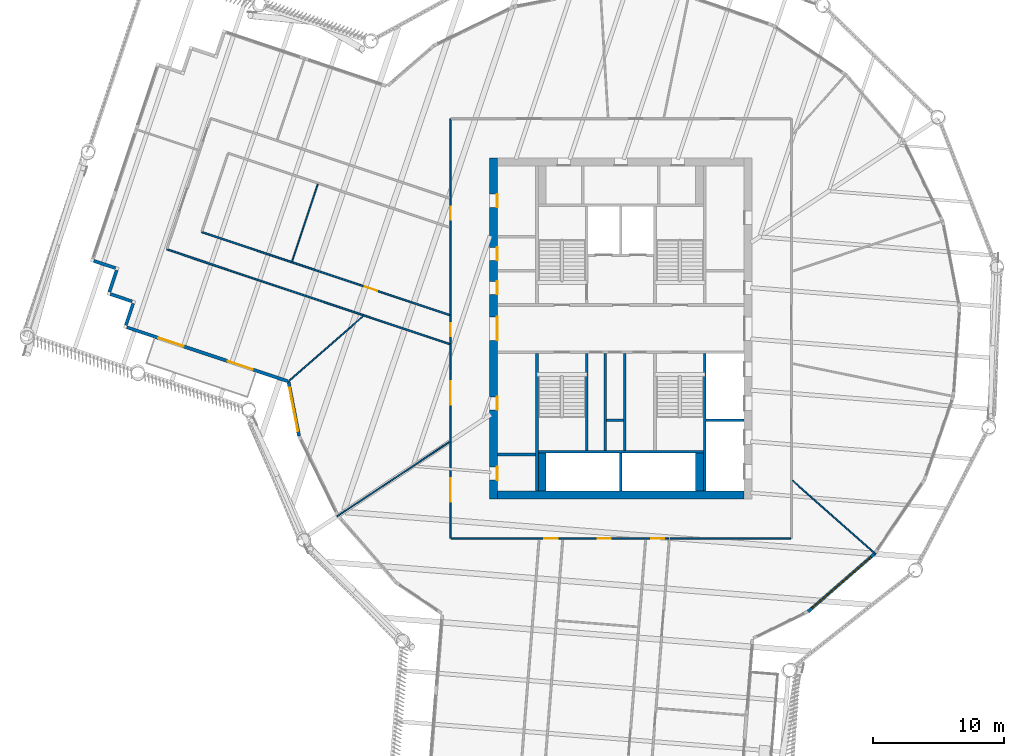
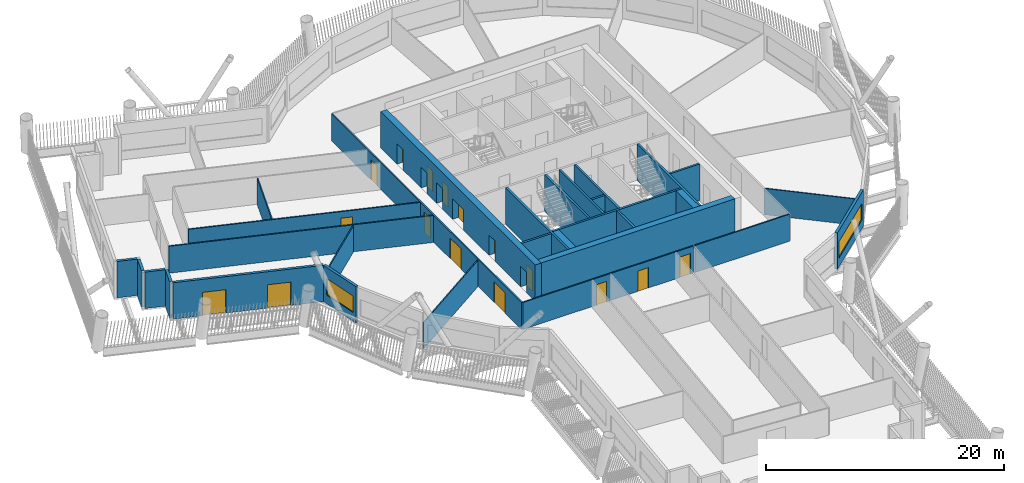
# One storey, part 4 of 21: 30 walls, 16 doors, 2 windows, 18 openings.
"""IFC4 building model written with IfcOpenShell, lengths in metres."""

from ifc_helpers import new_model, si_unit, direction, frame, frame_2d, origin, place, context, subcontext, project, spatial, rectangle, extrude, material, layer, layer_set, type_object, element, fill, save


model = new_model("IFC4")

# Units and contexts
model_context = context("Model", 3, precision=1e-05, world=origin(), true_north=direction((0.0, 1.0)))
body_context = subcontext(model_context, "Body", "Model", "MODEL_VIEW")
ifc_project = project(units=[si_unit("LENGTHUNIT", "METRE"), si_unit("AREAUNIT", "SQUARE_METRE"), si_unit("VOLUMEUNIT", "CUBIC_METRE"), si_unit("PLANEANGLEUNIT", "RADIAN"), si_unit("MASSUNIT", "GRAM", prefix="KILO")], contexts=[model_context])

# Site, building, storey
site_placement = place(None, origin())
site = spatial("IfcSite", under=ifc_project, at=site_placement, CompositionType="ELEMENT")
building_placement = place(site_placement, origin())
building = spatial("IfcBuilding", under=site, at=building_placement, Name="Tarsis Ring Headquarters", CompositionType="ELEMENT")
storey_placement = place(building_placement, frame((0.0, 0.0, 208.199951171875)))
storey = spatial("IfcBuildingStorey", under=building, at=storey_placement, Name="L48", CompositionType="ELEMENT", Elevation=208.199951171875)

# Walls
ifc_material_1 = material(Name="Blockwork", Category="masonry")
ifc_layer_1 = layer(ifc_material_1, 0.199951171875)
ifc_layer_set_1 = layer_set([ifc_layer_1], Name="Core blockwork wall 200")
wall_type_1 = type_object("IfcWallType", Name="Core blockwork wall 200", PredefinedType="PARTITIONING", material=ifc_layer_set_1)
wall_1_placement = place(storey_placement, frame((-9.39990234375, -9.60009765625, 0.0), z_axis=(0.0, 0.0, 1.0), x_axis=(1.0, 0.0, 0.0)))
element("IfcWall", 1, at=wall_1_placement, inside=storey, type_object=wall_type_1, Name="Core partition WD1", PredefinedType="PARTITIONING", context=body_context, shape_type="SweptSolid", body=[
    extrude(rectangle(XDim=2.89990234375, YDim=0.199951171875, at=frame_2d((1.449951171875, 0.0))), origin(), (0.0, 0.0, 1.0), 3.739990234375),
])
wall_2_placement = place(storey_placement, frame((-1.10009765625, -7.0, 0.0), z_axis=(0.0, 0.0, 1.0), x_axis=(1.0, 0.0, 0.0)))
element("IfcWall", 2, at=wall_2_placement, inside=storey, type_object=wall_type_1, Name="Core partition SP2", PredefinedType="PARTITIONING", context=body_context, shape_type="SweptSolid", body=[
    extrude(rectangle(XDim=1.300048828125, YDim=0.199951171875, at=frame_2d((0.64990234375, 0.0))), origin(), (0.0, 0.0, 1.0), 3.739990234375),
])
for number, where, z_axis, x_axis, name in (
    (3, (-1.199951171875, -9.300048828125, 0.0), (0.0, 0.0, 1.0), (0.0, 1.0, 0.0), "Core partition SV1"),
    (4, (0.300048828125, -9.300048828125, 0.0), (0.0, 0.0, 1.0), (0.0, 1.0, 0.0), "Core partition SV2"),
):
    element("IfcWall", number, at=place(storey_placement, frame(where, z_axis=z_axis, x_axis=x_axis)), inside=storey, type_object=wall_type_1, Name=name, PredefinedType="PARTITIONING", context=body_context, shape_type="SweptSolid", body=[
        extrude(rectangle(XDim=7.400146484375, YDim=0.199951171875, at=frame_2d((3.7001953125, 0.0))), origin(), (0.0, 0.0, 1.0), 3.739990234375),
    ])

# Wall, openings, doors
ifc_material_2 = material(Name="Concrete C50/60", Category="concrete")
ifc_layer_2 = layer(ifc_material_2, 0.60009765625)
ifc_layer_set_2 = layer_set([ifc_layer_2], Name="Core wall 600 C50/60")
wall_type_2 = type_object("IfcWallType", Name="Core wall 600 C50/60", PredefinedType="SHEAR", material=ifc_layer_set_2)
wall_3_placement = place(storey_placement, frame((-9.699951171875, -13.0, 0.0), z_axis=(0.0, 0.0, 1.0), x_axis=(0.0, 1.0, 0.0)))
wall_3 = element("IfcWall", 5, at=wall_3_placement, inside=storey, type_object=wall_type_2, Name="Core wall OW", PredefinedType="SHEAR", context=body_context, shape_type="SweptSolid", body=[
    extrude(rectangle(XDim=26.0, YDim=0.60009765625, at=frame_2d((13.0, 0.0))), origin(), (0.0, 0.0, 1.0), 3.739990234375),
])
opening_1_placement = place(wall_3_placement, frame((1.449951171875, 0.0, 0.0)))
opening_1 = element("IfcOpeningElement", 6, at=opening_1_placement, cuts=wall_3, Name="Opening L48-C01", PredefinedType="OPENING", context=body_context, shape_type="SweptSolid", body=[
    extrude(rectangle(XDim=1.0, YDim=2.10009765625, at=frame_2d((0.5, 1.050048828125))), frame((0.0, 0.31005859375, 0.0), z_axis=(0.0, -1.0, 0.0), x_axis=(1.0, 0.0, 0.0)), (0.0, 0.0, 1.0), 0.6201171875),
])
opening_2_placement = place(wall_3_placement, frame((6.800048828125, 0.0, 0.0)))
opening_2 = element("IfcOpeningElement", 7, at=opening_2_placement, cuts=wall_3, Name="Opening L48-C02", PredefinedType="OPENING", context=body_context, shape_type="SweptSolid", body=[
    extrude(rectangle(XDim=1.0, YDim=2.10009765625, at=frame_2d((0.5, 1.050048828125))), frame((0.0, 0.31005859375, 0.0), z_axis=(0.0, -1.0, 0.0), x_axis=(1.0, 0.0, 0.0)), (0.0, 0.0, 1.0), 0.6201171875),
])
opening_3_placement = place(wall_3_placement, frame((12.10009765625, 0.0, 0.0)))
opening_3 = element("IfcOpeningElement", 8, at=opening_3_placement, cuts=wall_3, Name="Opening L48-C03", PredefinedType="OPENING", context=body_context, shape_type="SweptSolid", body=[
    extrude(rectangle(XDim=1.800048828125, YDim=2.10009765625, at=frame_2d((0.89990234375, 1.050048828125))), frame((0.0, 0.31005859375, 0.0), z_axis=(0.0, -1.0, 0.0), x_axis=(1.0, 0.0, 0.0)), (0.0, 0.0, 1.0), 0.6201171875),
])
opening_4_placement = place(wall_3_placement, frame((15.60009765625, 0.0, 0.0)))
opening_4 = element("IfcOpeningElement", 9, at=opening_4_placement, cuts=wall_3, Name="Opening L48-C04", PredefinedType="OPENING", context=body_context, shape_type="SweptSolid", body=[
    extrude(rectangle(XDim=1.0, YDim=2.10009765625, at=frame_2d((0.5, 1.050048828125))), frame((0.0, 0.31005859375, 0.0), z_axis=(0.0, -1.0, 0.0), x_axis=(1.0, 0.0, 0.0)), (0.0, 0.0, 1.0), 0.6201171875),
])
opening_5_placement = place(wall_3_placement, frame((18.199951171875, 0.0, 0.0)))
opening_5 = element("IfcOpeningElement", 10, at=opening_5_placement, cuts=wall_3, Name="Opening L48-C05", PredefinedType="OPENING", context=body_context, shape_type="SweptSolid", body=[
    extrude(rectangle(XDim=1.0, YDim=2.10009765625, at=frame_2d((0.5, 1.050048828125))), frame((0.0, 0.31005859375, 0.0), z_axis=(0.0, -1.0, 0.0), x_axis=(1.0, 0.0, 0.0)), (0.0, 0.0, 1.0), 0.6201171875),
])
opening_6_placement = place(wall_3_placement, frame((22.25, 0.0, 0.0)))
opening_6 = element("IfcOpeningElement", 11, at=opening_6_placement, cuts=wall_3, Name="Opening L48-C06", PredefinedType="OPENING", context=body_context, shape_type="SweptSolid", body=[
    extrude(rectangle(XDim=1.0, YDim=2.10009765625, at=frame_2d((0.5, 1.050048828125))), frame((0.0, 0.31005859375, 0.0), z_axis=(0.0, -1.0, 0.0), x_axis=(1.0, 0.0, 0.0)), (0.0, 0.0, 1.0), 0.6201171875),
])
ifc_material_3 = material(Name="Steel S355", Category="steel")
door_type_1 = type_object("IfcDoorType", Name="Core entry door 1800x2100", OperationType="DOUBLE_DOOR_SINGLE_SWING", PredefinedType="DOOR", material=ifc_material_3)
door_1_placement = place(opening_3_placement, origin())
door_1 = element("IfcDoor", 12, at=door_1_placement, inside=storey, type_object=door_type_1, Name="Core entry door L48", OperationType="DOUBLE_DOOR_SINGLE_SWING", OverallHeight=2.10009765625, OverallWidth=1.800048828125, PredefinedType="DOOR", context=body_context, shape_type="SweptSolid", body=[
    extrude(rectangle(XDim=1.800048828125, YDim=2.10009765625, at=frame_2d((0.89990234375, 1.050048828125))), frame((0.0, -0.25, 0.0), z_axis=(0.0, -1.0, 0.0), x_axis=(1.0, 0.0, 0.0)), (0.0, 0.0, 1.0), 0.050048828125),
])
fill(opening_3, door_1)
door_type_2 = type_object("IfcDoorType", Name="Core room door 1000x2100", OperationType="SINGLE_SWING_LEFT", PredefinedType="DOOR", material=ifc_material_3)
door_2_placement = place(opening_1_placement, origin())
door_2 = element("IfcDoor", 13, at=door_2_placement, inside=storey, type_object=door_type_2, Name="Core room door L48", OperationType="SINGLE_SWING_LEFT", OverallHeight=2.10009765625, OverallWidth=1.0, PredefinedType="DOOR", context=body_context, shape_type="SweptSolid", body=[
    extrude(rectangle(XDim=1.0, YDim=2.10009765625, at=frame_2d((0.5, 1.050048828125))), frame((0.0, -0.25, 0.0), z_axis=(0.0, -1.0, 0.0), x_axis=(1.0, 0.0, 0.0)), (0.0, 0.0, 1.0), 0.050048828125),
])
fill(opening_1, door_2)
door_3_placement = place(opening_2_placement, origin())
door_3 = element("IfcDoor", 14, at=door_3_placement, inside=storey, type_object=door_type_2, Name="Core room door L48", OperationType="SINGLE_SWING_LEFT", OverallHeight=2.10009765625, OverallWidth=1.0, PredefinedType="DOOR", context=body_context, shape_type="SweptSolid", body=[
    extrude(rectangle(XDim=1.0, YDim=2.10009765625, at=frame_2d((0.5, 1.050048828125))), frame((0.0, -0.25, 0.0), z_axis=(0.0, -1.0, 0.0), x_axis=(1.0, 0.0, 0.0)), (0.0, 0.0, 1.0), 0.050048828125),
])
fill(opening_2, door_3)
door_4_placement = place(opening_4_placement, origin())
door_4 = element("IfcDoor", 15, at=door_4_placement, inside=storey, type_object=door_type_2, Name="Core room door L48", OperationType="SINGLE_SWING_LEFT", OverallHeight=2.10009765625, OverallWidth=1.0, PredefinedType="DOOR", context=body_context, shape_type="SweptSolid", body=[
    extrude(rectangle(XDim=1.0, YDim=2.10009765625, at=frame_2d((0.5, 1.050048828125))), frame((0.0, -0.25, 0.0), z_axis=(0.0, -1.0, 0.0), x_axis=(1.0, 0.0, 0.0)), (0.0, 0.0, 1.0), 0.050048828125),
])
fill(opening_4, door_4)
door_5_placement = place(opening_5_placement, origin())
door_5 = element("IfcDoor", 16, at=door_5_placement, inside=storey, type_object=door_type_2, Name="Core room door L48", OperationType="SINGLE_SWING_LEFT", OverallHeight=2.10009765625, OverallWidth=1.0, PredefinedType="DOOR", context=body_context, shape_type="SweptSolid", body=[
    extrude(rectangle(XDim=1.0, YDim=2.10009765625, at=frame_2d((0.5, 1.050048828125))), frame((0.0, -0.25, 0.0), z_axis=(0.0, -1.0, 0.0), x_axis=(1.0, 0.0, 0.0)), (0.0, 0.0, 1.0), 0.050048828125),
])
fill(opening_5, door_5)
door_6_placement = place(opening_6_placement, origin())
door_6 = element("IfcDoor", 17, at=door_6_placement, inside=storey, type_object=door_type_2, Name="Core room door L48", OperationType="SINGLE_SWING_LEFT", OverallHeight=2.10009765625, OverallWidth=1.0, PredefinedType="DOOR", context=body_context, shape_type="SweptSolid", body=[
    extrude(rectangle(XDim=1.0, YDim=2.10009765625, at=frame_2d((0.5, 1.050048828125))), frame((0.0, -0.25, 0.0), z_axis=(0.0, -1.0, 0.0), x_axis=(1.0, 0.0, 0.0)), (0.0, 0.0, 1.0), 0.050048828125),
])
fill(opening_6, door_6)

# Walls
wall_4_placement = place(storey_placement, frame((-9.39990234375, -12.699951171875, 0.0), z_axis=(0.0, 0.0, 1.0), x_axis=(1.0, 0.0, 0.0)))
element("IfcWall", 18, at=wall_4_placement, inside=storey, type_object=wall_type_2, Name="Core wall OS", PredefinedType="SHEAR", context=body_context, shape_type="SweptSolid", body=[
    extrude(rectangle(XDim=18.7998046875, YDim=0.60009765625, at=frame_2d((9.39990234375, 0.0))), origin(), (0.0, 0.0, 1.0), 3.739990234375),
])
ifc_material_4 = material(Name="Gypsum board on steel studs", Category="steel")
ifc_layer_3 = layer(ifc_material_4, 0.10009765625)
ifc_layer_set_3 = layer_set([ifc_layer_3], Name="FL partition 100 unrated")
wall_type_3 = type_object("IfcWallType", Name="FL partition 100 unrated", PredefinedType="PARTITIONING", material=ifc_layer_set_3)
wall_5_placement = place(storey_placement, frame((-21.642578125, -14.31396484375, 0.0), z_axis=(0.0, 0.0, 1.0), x_axis=(0.834087074335, 0.551632805794, 0.0)))
element("IfcWall", 19, at=wall_5_placement, inside=storey, type_object=wall_type_3, Name="Partition PW3", PredefinedType="PARTITIONING", context=body_context, shape_type="SweptSolid", body=[
    extrude(rectangle(XDim=10.26171875, YDim=0.10009765625, at=frame_2d((5.130859375, 0.0))), origin(), (0.0, 0.0, 1.0), 2.699951171875),
])
wall_6_placement = place(storey_placement, frame((13.08251953125, -11.58251953125, 0.0), z_axis=(0.0, 0.0, 1.0), x_axis=(0.748727065493, -0.662878406194, 0.0)))
element("IfcWall", 20, at=wall_6_placement, inside=storey, type_object=wall_type_3, Name="Partition PW3", PredefinedType="PARTITIONING", context=body_context, shape_type="SweptSolid", body=[
    extrude(rectangle(XDim=8.474609375, YDim=0.10009765625, at=frame_2d((4.2373046875, 0.0))), origin(), (0.0, 0.0, 1.0), 2.699951171875),
])
wall_7_placement = place(storey_placement, frame((-25.38720703125, -4.072021484375, 0.0), z_axis=(0.0, 0.0, 1.0), x_axis=(0.752055861844, 0.659099370859, 0.0)))
element("IfcWall", 21, at=wall_7_placement, inside=storey, type_object=wall_type_3, Name="Partition PW3", PredefinedType="PARTITIONING", context=body_context, shape_type="SweptSolid", body=[
    extrude(rectangle(XDim=7.611328125, YDim=0.10009765625, at=frame_2d((3.8056640625, 0.0))), origin(), (0.0, 0.0, 1.0), 2.699951171875),
])
wall_8_placement = place(storey_placement, frame((-25.078857421875, 5.131591796875, 0.0), z_axis=(0.0, 0.0, 1.0), x_axis=(0.317656803618, 0.948205755686, 0.0)))
element("IfcWall", 22, at=wall_8_placement, inside=storey, type_object=wall_type_3, Name="Partition PW3", PredefinedType="PARTITIONING", context=body_context, shape_type="SweptSolid", body=[
    extrude(rectangle(XDim=6.199951171875, YDim=0.10009765625, at=frame_2d((3.10009765625, 0.0))), origin(), (0.0, 0.0, 1.0), 2.699951171875),
])

# Wall, openings, doors
ifc_layer_4 = layer(ifc_material_4, 0.125)
ifc_layer_set_4 = layer_set([ifc_layer_4], Name="FL partition 125 EI 60 H2770")
wall_type_4 = type_object("IfcWallType", Name="FL partition 125 EI 60 H2770", PredefinedType="PARTITIONING", material=ifc_layer_set_4)
wall_9_placement = place(storey_placement, frame((-13.0, -15.998046875, 0.0), z_axis=(0.0, 0.0, 1.0), x_axis=(0.0, 1.0, 0.0)))
wall_9 = element("IfcWall", 23, at=wall_9_placement, inside=storey, type_object=wall_type_4, Name="Partition PW1", PredefinedType="PARTITIONING", context=body_context, shape_type="SweptSolid", body=[
    extrude(rectangle(XDim=31.99609375, YDim=0.125, at=frame_2d((15.998046875, 0.0))), origin(), (0.0, 0.0, 1.0), 2.77001953125),
])
opening_7_placement = place(wall_9_placement, frame((2.800048828125, 0.0, 0.0)))
opening_7 = element("IfcOpeningElement", 24, at=opening_7_placement, cuts=wall_9, Name="Opening D48.12", PredefinedType="OPENING", context=body_context, shape_type="SweptSolid", body=[
    extrude(rectangle(XDim=1.800048828125, YDim=2.10009765625, at=frame_2d((0.89990234375, 1.050048828125))), frame((0.0, 0.072509765625, 0.0), z_axis=(0.0, -1.0, 0.0), x_axis=(1.0, 0.0, 0.0)), (0.0, 0.0, 1.0), 0.14501953125),
])
opening_8_placement = place(wall_9_placement, frame((10.197509765625, 0.0, 0.0)))
opening_8 = element("IfcOpeningElement", 25, at=opening_8_placement, cuts=wall_9, Name="Opening D48.13", PredefinedType="OPENING", context=body_context, shape_type="SweptSolid", body=[
    extrude(rectangle(XDim=1.800048828125, YDim=2.10009765625, at=frame_2d((0.89990234375, 1.050048828125))), frame((0.0, 0.072509765625, 0.0), z_axis=(0.0, -1.0, 0.0), x_axis=(1.0, 0.0, 0.0)), (0.0, 0.0, 1.0), 0.14501953125),
])
opening_9_placement = place(wall_9_placement, frame((15.40234375, 0.0, 0.0)))
opening_9 = element("IfcOpeningElement", 26, at=opening_9_placement, cuts=wall_9, Name="Opening D48.19", PredefinedType="OPENING", context=body_context, shape_type="SweptSolid", body=[
    extrude(rectangle(XDim=1.0, YDim=2.10009765625, at=frame_2d((0.5, 1.050048828125))), frame((0.0, 0.072509765625, 0.0), z_axis=(0.0, -1.0, 0.0), x_axis=(1.0, 0.0, 0.0)), (0.0, 0.0, 1.0), 0.14501953125),
])
opening_10_placement = place(wall_9_placement, frame((24.30322265625, 0.0, 0.0)))
opening_10 = element("IfcOpeningElement", 27, at=opening_10_placement, cuts=wall_9, Name="Opening D48.20", PredefinedType="OPENING", context=body_context, shape_type="SweptSolid", body=[
    extrude(rectangle(XDim=1.0, YDim=2.10009765625, at=frame_2d((0.5, 1.050048828125))), frame((0.0, 0.072509765625, 0.0), z_axis=(0.0, -1.0, 0.0), x_axis=(1.0, 0.0, 0.0)), (0.0, 0.0, 1.0), 0.14501953125),
])
ifc_material_5 = material(Name="Fire-rated timber door leaf in steel frame", Category="steel")
door_type_3 = type_object("IfcDoorType", Name="FL door FD60-1000", OperationType="NOTDEFINED", PredefinedType="DOOR", material=ifc_material_5)
door_7_placement = place(opening_9_placement, origin())
door_7 = element("IfcDoor", 28, at=door_7_placement, inside=storey, type_object=door_type_3, Name="Door D48.19", OperationType="SINGLE_SWING_LEFT", OverallHeight=2.10009765625, OverallWidth=1.0, PredefinedType="DOOR", context=body_context, shape_type="SweptSolid", body=[
    extrude(rectangle(XDim=1.0, YDim=2.10009765625, at=frame_2d((0.5, 1.050048828125))), frame((0.0, 0.02490234375, 0.0), z_axis=(0.0, -1.0, 0.0), x_axis=(1.0, 0.0, 0.0)), (0.0, 0.0, 1.0), 0.050048828125),
])
fill(opening_9, door_7)
door_8_placement = place(opening_10_placement, origin())
door_8 = element("IfcDoor", 29, at=door_8_placement, inside=storey, type_object=door_type_3, Name="Door D48.20", OperationType="SINGLE_SWING_RIGHT", OverallHeight=2.10009765625, OverallWidth=1.0, PredefinedType="DOOR", context=body_context, shape_type="SweptSolid", body=[
    extrude(rectangle(XDim=1.0, YDim=2.10009765625, at=frame_2d((0.5, 1.050048828125))), frame((0.0, 0.02490234375, 0.0), z_axis=(0.0, -1.0, 0.0), x_axis=(1.0, 0.0, 0.0)), (0.0, 0.0, 1.0), 0.050048828125),
])
fill(opening_10, door_8)
door_type_4 = type_object("IfcDoorType", Name="FL door FD60-1800", OperationType="DOUBLE_DOOR_SINGLE_SWING", PredefinedType="DOOR", material=ifc_material_5)
door_9_placement = place(opening_7_placement, origin())
door_9 = element("IfcDoor", 30, at=door_9_placement, inside=storey, type_object=door_type_4, Name="Door D48.12", OperationType="DOUBLE_DOOR_SINGLE_SWING", OverallHeight=2.10009765625, OverallWidth=1.800048828125, PredefinedType="DOOR", context=body_context, shape_type="SweptSolid", body=[
    extrude(rectangle(XDim=1.800048828125, YDim=2.10009765625, at=frame_2d((0.89990234375, 1.050048828125))), frame((0.0, 0.02490234375, 0.0), z_axis=(0.0, -1.0, 0.0), x_axis=(1.0, 0.0, 0.0)), (0.0, 0.0, 1.0), 0.050048828125),
])
fill(opening_7, door_9)
door_10_placement = place(opening_8_placement, origin())
door_10 = element("IfcDoor", 31, at=door_10_placement, inside=storey, type_object=door_type_4, Name="Door D48.13", OperationType="DOUBLE_DOOR_SINGLE_SWING", OverallHeight=2.10009765625, OverallWidth=1.800048828125, PredefinedType="DOOR", context=body_context, shape_type="SweptSolid", body=[
    extrude(rectangle(XDim=1.800048828125, YDim=2.10009765625, at=frame_2d((0.89990234375, 1.050048828125))), frame((0.0, 0.02490234375, 0.0), z_axis=(0.0, -1.0, 0.0), x_axis=(1.0, 0.0, 0.0)), (0.0, 0.0, 1.0), 0.050048828125),
])
fill(opening_8, door_10)

wall_10_placement = place(storey_placement, frame((-12.93798828125, -16.0, 0.0), z_axis=(0.0, 0.0, 1.0), x_axis=(1.0, 0.0, 0.0)))
wall_10 = element("IfcWall", 32, at=wall_10_placement, inside=storey, type_object=wall_type_4, Name="Partition PW1", PredefinedType="PARTITIONING", context=body_context, shape_type="SweptSolid", body=[
    extrude(rectangle(XDim=16.571044921875, YDim=0.125, at=frame_2d((8.28564453125, 0.0))), origin(), (0.0, 0.0, 1.0), 2.77001953125),
])
opening_11_placement = place(wall_10_placement, frame((11.173095703125, 0.0, 0.0)))
opening_11 = element("IfcOpeningElement", 33, at=opening_11_placement, cuts=wall_10, Name="Opening D48.15", PredefinedType="OPENING", context=body_context, shape_type="SweptSolid", body=[
    extrude(rectangle(XDim=1.0, YDim=2.10009765625, at=frame_2d((0.5, 1.050048828125))), frame((0.0, 0.072509765625, 0.0), z_axis=(0.0, -1.0, 0.0), x_axis=(1.0, 0.0, 0.0)), (0.0, 0.0, 1.0), 0.14501953125),
])
opening_12_placement = place(wall_10_placement, frame((7.110595703125, 0.0, 0.0)))
opening_12 = element("IfcOpeningElement", 34, at=opening_12_placement, cuts=wall_10, Name="Opening D48.17", PredefinedType="OPENING", context=body_context, shape_type="SweptSolid", body=[
    extrude(rectangle(XDim=1.0, YDim=2.10009765625, at=frame_2d((0.5, 1.050048828125))), frame((0.0, 0.072509765625, 0.0), z_axis=(0.0, -1.0, 0.0), x_axis=(1.0, 0.0, 0.0)), (0.0, 0.0, 1.0), 0.14501953125),
])
opening_13_placement = place(wall_10_placement, frame((15.23583984375, 0.0, 0.0)))
opening_13 = element("IfcOpeningElement", 35, at=opening_13_placement, cuts=wall_10, Name="Opening D48.18", PredefinedType="OPENING", context=body_context, shape_type="SweptSolid", body=[
    extrude(rectangle(XDim=1.0, YDim=2.10009765625, at=frame_2d((0.5, 1.050048828125))), frame((0.0, 0.072509765625, 0.0), z_axis=(0.0, -1.0, 0.0), x_axis=(1.0, 0.0, 0.0)), (0.0, 0.0, 1.0), 0.14501953125),
])
door_11_placement = place(opening_11_placement, origin())
door_11 = element("IfcDoor", 36, at=door_11_placement, inside=storey, type_object=door_type_3, Name="Door D48.15", OperationType="SINGLE_SWING_LEFT", OverallHeight=2.10009765625, OverallWidth=1.0, PredefinedType="DOOR", context=body_context, shape_type="SweptSolid", body=[
    extrude(rectangle(XDim=1.0, YDim=2.10009765625, at=frame_2d((0.5, 1.050048828125))), frame((0.0, 0.02490234375, 0.0), z_axis=(0.0, -1.0, 0.0), x_axis=(1.0, 0.0, 0.0)), (0.0, 0.0, 1.0), 0.050048828125),
])
fill(opening_11, door_11)
door_12_placement = place(opening_12_placement, origin())
door_12 = element("IfcDoor", 37, at=door_12_placement, inside=storey, type_object=door_type_3, Name="Door D48.17", OperationType="SINGLE_SWING_LEFT", OverallHeight=2.10009765625, OverallWidth=1.0, PredefinedType="DOOR", context=body_context, shape_type="SweptSolid", body=[
    extrude(rectangle(XDim=1.0, YDim=2.10009765625, at=frame_2d((0.5, 1.050048828125))), frame((0.0, 0.02490234375, 0.0), z_axis=(0.0, -1.0, 0.0), x_axis=(1.0, 0.0, 0.0)), (0.0, 0.0, 1.0), 0.050048828125),
])
fill(opening_12, door_12)
door_13_placement = place(opening_13_placement, origin())
door_13 = element("IfcDoor", 38, at=door_13_placement, inside=storey, type_object=door_type_3, Name="Door D48.18", OperationType="SINGLE_SWING_RIGHT", OverallHeight=2.10009765625, OverallWidth=1.0, PredefinedType="DOOR", context=body_context, shape_type="SweptSolid", body=[
    extrude(rectangle(XDim=1.0, YDim=2.10009765625, at=frame_2d((0.5, 1.050048828125))), frame((0.0, 0.02490234375, 0.0), z_axis=(0.0, -1.0, 0.0), x_axis=(1.0, 0.0, 0.0)), (0.0, 0.0, 1.0), 0.050048828125),
])
fill(opening_13, door_13)

# Walls
wall_11_placement = place(storey_placement, frame((3.762939453125, -16.0, 0.0), z_axis=(0.0, 0.0, 1.0), x_axis=(1.0, 0.0, 0.0)))
element("IfcWall", 39, at=wall_11_placement, inside=storey, type_object=wall_type_4, Name="Partition PW1", PredefinedType="PARTITIONING", context=body_context, shape_type="SweptSolid", body=[
    extrude(rectangle(XDim=9.177001953125, YDim=0.125, at=frame_2d((4.58837890625, 0.0))), origin(), (0.0, 0.0, 1.0), 2.77001953125),
])
wall_12_placement = place(storey_placement, frame((-34.624267578125, 6.040771484375, 0.0), z_axis=(0.0, 0.0, 1.0), x_axis=(0.948213855038, -0.317632626023, 0.0)))
element("IfcWall", 40, at=wall_12_placement, inside=storey, type_object=wall_type_4, Name="Partition PW1", PredefinedType="PARTITIONING", context=body_context, shape_type="SweptSolid", body=[
    extrude(rectangle(XDim=22.72509765625, YDim=0.125, at=frame_2d((11.362548828125, 0.0))), origin(), (0.0, 0.0, 1.0), 2.77001953125),
])

# Wall, opening, door
wall_13_placement = place(storey_placement, frame((-31.966064453125, 7.364990234375, 0.0), z_axis=(0.0, 0.0, 1.0), x_axis=(0.948212889277, -0.317635509049, 0.0)))
wall_13 = element("IfcWall", 41, at=wall_13_placement, inside=storey, type_object=wall_type_4, Name="Partition PW1", PredefinedType="PARTITIONING", context=body_context, shape_type="SweptSolid", body=[
    extrude(rectangle(XDim=19.921875, YDim=0.125, at=frame_2d((9.9609375, 0.0))), origin(), (0.0, 0.0, 1.0), 2.77001953125),
])
opening_14_placement = place(wall_13_placement, frame((13.119140625, 0.0, 0.0)))
opening_14 = element("IfcOpeningElement", 42, at=opening_14_placement, cuts=wall_13, Name="Opening D48.14", PredefinedType="OPENING", context=body_context, shape_type="SweptSolid", body=[
    extrude(rectangle(XDim=1.0, YDim=2.10009765625, at=frame_2d((0.5, 1.050048828125))), frame((0.0, 0.072509765625, 0.0), z_axis=(0.0, -1.0, 0.0), x_axis=(1.0, 0.0, 0.0)), (0.0, 0.0, 1.0), 0.14501953125),
])
door_14_placement = place(opening_14_placement, origin())
door_14 = element("IfcDoor", 43, at=door_14_placement, inside=storey, type_object=door_type_3, Name="Door D48.14", OperationType="SINGLE_SWING_RIGHT", OverallHeight=2.10009765625, OverallWidth=1.0, PredefinedType="DOOR", context=body_context, shape_type="SweptSolid", body=[
    extrude(rectangle(XDim=1.0, YDim=2.10009765625, at=frame_2d((0.5, 1.050048828125))), frame((0.0, 0.02490234375, 0.0), z_axis=(0.0, -1.0, 0.0), x_axis=(1.0, 0.0, 0.0)), (0.0, 0.0, 1.0), 0.050048828125),
])
fill(opening_14, door_14)

# Wall, openings, doors
ifc_material_6 = material(Name="Terracotta clad insulated panel wall", Category="masonry")
ifc_layer_5 = layer(ifc_material_6, 0.25)
ifc_layer_set_5 = layer_set([ifc_layer_5], Name="Facade wall terracotta panel 250")
wall_type_5 = type_object("IfcWallType", Name="Facade wall terracotta panel 250", PredefinedType="STANDARD", material=ifc_layer_set_5)
wall_14_placement = place(storey_placement, frame((-37.67041015625, 0.095458984375, 0.0), z_axis=(0.0, 0.0, 1.0), x_axis=(0.948211798229, -0.317638766052, 0.0)))
wall_14 = element("IfcWall", 44, at=wall_14_placement, inside=storey, type_object=wall_type_5, Name="External wall L48-01", PredefinedType="STANDARD", context=body_context, shape_type="SweptSolid", body=[
    extrude(rectangle(XDim=12.921875, YDim=0.25, at=frame_2d((6.4609375, 0.0))), origin(), (0.0, 0.0, 1.0), 3.739990234375),
])
opening_15_placement = place(wall_14_placement, frame((2.550048828125, 0.0, 0.0)))
opening_15 = element("IfcOpeningElement", 45, at=opening_15_placement, cuts=wall_14, Name="Opening L48-BD01", PredefinedType="OPENING", context=body_context, shape_type="SweptSolid", body=[
    extrude(rectangle(XDim=2.0, YDim=2.39990234375, at=frame_2d((1.0, 1.199951171875))), frame((0.0, 0.135009765625, 0.0), z_axis=(0.0, -1.0, 0.0), x_axis=(1.0, 0.0, 0.0)), (0.0, 0.0, 1.0), 0.27001953125),
])
opening_16_placement = place(wall_14_placement, frame((8.1220703125, 0.0, 0.0)))
opening_16 = element("IfcOpeningElement", 46, at=opening_16_placement, cuts=wall_14, Name="Opening L48-BD02", PredefinedType="OPENING", context=body_context, shape_type="SweptSolid", body=[
    extrude(rectangle(XDim=2.0, YDim=2.39990234375, at=frame_2d((1.0, 1.199951171875))), frame((0.0, 0.135009765625, 0.0), z_axis=(0.0, -1.0, 0.0), x_axis=(1.0, 0.0, 0.0)), (0.0, 0.0, 1.0), 0.27001953125),
])
ifc_material_7 = material(Name="Aluminium framed double glazing", Category="aluminium")
door_type_5 = type_object("IfcDoorType", Name="Balcony sliding door 2000 x 2400", OperationType="SLIDING_TO_LEFT", PredefinedType="DOOR", material=ifc_material_7)
door_15_placement = place(opening_15_placement, origin())
door_15 = element("IfcDoor", 47, at=door_15_placement, inside=storey, type_object=door_type_5, Name="Door L48-BD01", OperationType="SINGLE_SWING_LEFT", OverallHeight=2.39990234375, OverallWidth=2.0, PredefinedType="DOOR", context=body_context, shape_type="SweptSolid", body=[
    extrude(rectangle(XDim=2.0, YDim=2.39990234375, at=frame_2d((1.0, 1.199951171875))), frame((0.0, 0.02490234375, 0.0), z_axis=(0.0, -1.0, 0.0), x_axis=(1.0, 0.0, 0.0)), (0.0, 0.0, 1.0), 0.050048828125),
])
fill(opening_15, door_15)
door_16_placement = place(opening_16_placement, origin())
door_16 = element("IfcDoor", 48, at=door_16_placement, inside=storey, type_object=door_type_5, Name="Door L48-BD02", OperationType="SINGLE_SWING_LEFT", OverallHeight=2.39990234375, OverallWidth=2.0, PredefinedType="DOOR", context=body_context, shape_type="SweptSolid", body=[
    extrude(rectangle(XDim=2.0, YDim=2.39990234375, at=frame_2d((1.0, 1.199951171875))), frame((0.0, 0.02490234375, 0.0), z_axis=(0.0, -1.0, 0.0), x_axis=(1.0, 0.0, 0.0)), (0.0, 0.0, 1.0), 0.050048828125),
])
fill(opening_16, door_16)

# Wall, opening, window
wall_15_placement = place(storey_placement, frame((-25.334716796875, -4.103759765625, 0.0), z_axis=(0.0, 0.0, 1.0), x_axis=(0.190432702417, -0.981700252547, 0.0)))
wall_15 = element("IfcWall", 49, at=wall_15_placement, inside=storey, type_object=wall_type_5, Name="External wall L48-02", PredefinedType="STANDARD", context=body_context, shape_type="SweptSolid", body=[
    extrude(rectangle(XDim=4.15771484375, YDim=0.25, at=frame_2d((2.078857421875, 0.0))), origin(), (0.0, 0.0, 1.0), 3.739990234375),
])
opening_17_placement = place(wall_15_placement, frame((0.420166015625, 0.0, 0.89990234375)))
opening_17 = element("IfcOpeningElement", 50, at=opening_17_placement, cuts=wall_15, Name="Opening WN01", PredefinedType="OPENING", context=body_context, shape_type="SweptSolid", body=[
    extrude(rectangle(XDim=3.35009765625, YDim=1.699951171875, at=frame_2d((1.675048828125, 0.85009765625))), frame((0.0, 0.135009765625, 0.0), z_axis=(0.0, -1.0, 0.0), x_axis=(1.0, 0.0, 0.0)), (0.0, 0.0, 1.0), 0.27001953125),
])
window_type_1 = type_object("IfcWindowType", Name="Facade window 3350 x 1700", PartitioningType="SINGLE_PANEL", PredefinedType="WINDOW", material=ifc_material_7)
window_1_placement = place(opening_17_placement, origin())
window_1 = element("IfcWindow", 51, at=window_1_placement, inside=storey, type_object=window_type_1, Name="Window L48-02.1", OverallHeight=1.699951171875, OverallWidth=3.35009765625, PartitioningType="SINGLE_PANEL", PredefinedType="WINDOW", context=body_context, shape_type="SweptSolid", body=[
    extrude(rectangle(XDim=3.35009765625, YDim=1.699951171875, at=frame_2d((1.675048828125, 0.85009765625))), frame((0.0, 0.030029296875, 0.0), z_axis=(0.0, -1.0, 0.0), x_axis=(1.0, 0.0, 0.0)), (0.0, 0.0, 1.0), 0.06005859375),
])
fill(opening_17, window_1)

wall_16_placement = place(storey_placement, frame((14.28564453125, -21.570068359375, 0.0), z_axis=(0.0, 0.0, 1.0), x_axis=(0.754945569739, 0.655787455455, 0.0)))
wall_16 = element("IfcWall", 52, at=wall_16_placement, inside=storey, type_object=wall_type_5, Name="External wall L48-18", PredefinedType="STANDARD", context=body_context, shape_type="SweptSolid", body=[
    extrude(rectangle(XDim=6.7216796875, YDim=0.25, at=frame_2d((3.36083984375, 0.0))), origin(), (0.0, 0.0, 1.0), 3.739990234375),
])
opening_18_placement = place(wall_16_placement, frame((0.3857421875, 0.0, 0.89990234375)))
opening_18 = element("IfcOpeningElement", 53, at=opening_18_placement, cuts=wall_16, Name="Opening WN07", PredefinedType="OPENING", context=body_context, shape_type="SweptSolid", body=[
    extrude(rectangle(XDim=5.949951171875, YDim=1.699951171875, at=frame_2d((2.97509765625, 0.85009765625))), frame((0.0, 0.135009765625, 0.0), z_axis=(0.0, -1.0, 0.0), x_axis=(1.0, 0.0, 0.0)), (0.0, 0.0, 1.0), 0.27001953125),
])
window_type_2 = type_object("IfcWindowType", Name="Facade window 5950 x 1700", PartitioningType="SINGLE_PANEL", PredefinedType="WINDOW", material=ifc_material_7)
window_2_placement = place(opening_18_placement, origin())
window_2 = element("IfcWindow", 54, at=window_2_placement, inside=storey, type_object=window_type_2, Name="Window L48-18.1", OverallHeight=1.699951171875, OverallWidth=5.949951171875, PartitioningType="SINGLE_PANEL", PredefinedType="WINDOW", context=body_context, shape_type="SweptSolid", body=[
    extrude(rectangle(XDim=5.949951171875, YDim=1.699951171875, at=frame_2d((2.97509765625, 0.85009765625))), frame((0.0, 0.030029296875, 0.0), z_axis=(0.0, -1.0, 0.0), x_axis=(1.0, 0.0, 0.0)), (0.0, 0.0, 1.0), 0.06005859375),
])
fill(opening_18, window_2)

# Walls
for number, where, z_axis, x_axis, name in (
    (55, (-40.19287109375, 5.158935546875, 0.0), (0.0, 0.0, 1.0), (0.948207917694, -0.317650349947, 0.0), "External wall L48-37"),
    (56, (-38.45458984375, 4.44482421875, 0.0), (0.0, 0.0, 1.0), (-0.317650349947, -0.948207917694, 0.0), "External wall L48-38"),
    (57, (-38.931640625, 2.627197265625, 0.0), (0.0, 0.0, 1.0), (0.948207917694, -0.317650349947, 0.0), "External wall L48-39"),
    (58, (-37.193603515625, 1.9130859375, 0.0), (0.0, 0.0, 1.0), (-0.317524913909, -0.948249929632, 0.0), "External wall L48-40"),
):
    element("IfcWall", number, at=place(storey_placement, frame(where, z_axis=z_axis, x_axis=x_axis)), inside=storey, type_object=wall_type_5, Name=name, PredefinedType="STANDARD", context=body_context, shape_type="SweptSolid", body=[
        extrude(rectangle(XDim=1.75, YDim=0.25, at=frame_2d((0.875, 0.0))), origin(), (0.0, 0.0, 1.0), 3.739990234375),
    ])
ifc_material_8 = material(Name="Concrete C32/40", Category="concrete")
ifc_layer_6 = layer(ifc_material_8, 0.60009765625)
ifc_layer_set_6 = layer_set([ifc_layer_6], Name="Shaft end wall 600 C32/40")
wall_type_6 = type_object("IfcWallType", Name="Shaft end wall 600 C32/40", PredefinedType="SOLIDWALL", material=ifc_layer_set_6)
for number, where, z_axis, x_axis, name in (
    (59, (-6.0, -12.39990234375, 0.0), (0.0, 0.0, 1.0), (0.0, 1.0, 0.0), "Core shaft wall SNE1"),
    (60, (6.0, -12.39990234375, 0.0), (0.0, 0.0, 1.0), (0.0, 1.0, 0.0), "Core shaft wall SNE2"),
):
    element("IfcWall", number, at=place(storey_placement, frame(where, z_axis=z_axis, x_axis=x_axis)), inside=storey, type_object=wall_type_6, Name=name, PredefinedType="SOLIDWALL", context=body_context, shape_type="SweptSolid", body=[
        extrude(rectangle(XDim=2.89990234375, YDim=0.60009765625, at=frame_2d((1.449951171875, 0.0))), origin(), (0.0, 0.0, 1.0), 3.739990234375),
    ])
ifc_layer_7 = layer(ifc_material_8, 0.199951171875)
ifc_layer_set_7 = layer_set([ifc_layer_7], Name="Shaft wall 200 C32/40")
wall_type_7 = type_object("IfcWallType", Name="Shaft wall 200 C32/40", PredefinedType="SOLIDWALL", material=ifc_layer_set_7)
for number, where, z_axis, x_axis, name in (
    (61, (-6.39990234375, -12.39990234375, 0.0), (0.0, 0.0, 1.0), (0.0, 1.0, 0.0), "Core shaft wall WB1"),
    (62, (6.39990234375, -12.39990234375, 0.0), (0.0, 0.0, 1.0), (0.0, 1.0, 0.0), "Core shaft wall EB1"),
):
    element("IfcWall", number, at=place(storey_placement, frame(where, z_axis=z_axis, x_axis=x_axis)), inside=storey, type_object=wall_type_7, Name=name, PredefinedType="SOLIDWALL", context=body_context, shape_type="SweptSolid", body=[
        extrude(rectangle(XDim=10.5, YDim=0.199951171875, at=frame_2d((5.25, 0.0))), origin(), (0.0, 0.0, 1.0), 3.739990234375),
    ])
wall_17_placement = place(storey_placement, frame((-6.300048828125, -9.39990234375, 0.0), z_axis=(0.0, 0.0, 1.0), x_axis=(1.0, 0.0, 0.0)))
element("IfcWall", 63, at=wall_17_placement, inside=storey, type_object=wall_type_7, Name="Core shaft wall SB", PredefinedType="SOLIDWALL", context=body_context, shape_type="SweptSolid", body=[
    extrude(rectangle(XDim=12.60009765625, YDim=0.199951171875, at=frame_2d((6.300048828125, 0.0))), origin(), (0.0, 0.0, 1.0), 3.739990234375),
])
wall_18_placement = place(storey_placement, frame((-2.60009765625, -9.300048828125, 0.0), z_axis=(0.0, 0.0, 1.0), x_axis=(0.0, 1.0, 0.0)))
element("IfcWall", 64, at=wall_18_placement, inside=storey, type_object=wall_type_7, Name="Core shaft wall SW3", PredefinedType="SOLIDWALL", context=body_context, shape_type="SweptSolid", body=[
    extrude(rectangle(XDim=7.400146484375, YDim=0.199951171875, at=frame_2d((3.7001953125, 0.0))), origin(), (0.0, 0.0, 1.0), 3.739990234375),
])
for number, where, z_axis, x_axis, name in (
    (65, (6.5, -7.0, 0.0), (0.0, 0.0, 1.0), (1.0, 0.0, 0.0), "Core shaft wall ED2"),
    (66, (0.0, -12.39990234375, 0.0), (0.0, 0.0, 1.0), (0.0, 1.0, 0.0), "Core shaft wall SD2"),
):
    element("IfcWall", number, at=place(storey_placement, frame(where, z_axis=z_axis, x_axis=x_axis)), inside=storey, type_object=wall_type_7, Name=name, PredefinedType="SOLIDWALL", context=body_context, shape_type="SweptSolid", body=[
        extrude(rectangle(XDim=2.89990234375, YDim=0.199951171875, at=frame_2d((1.449951171875, 0.0))), origin(), (0.0, 0.0, 1.0), 3.739990234375),
    ])

save(model, "model.ifc")
